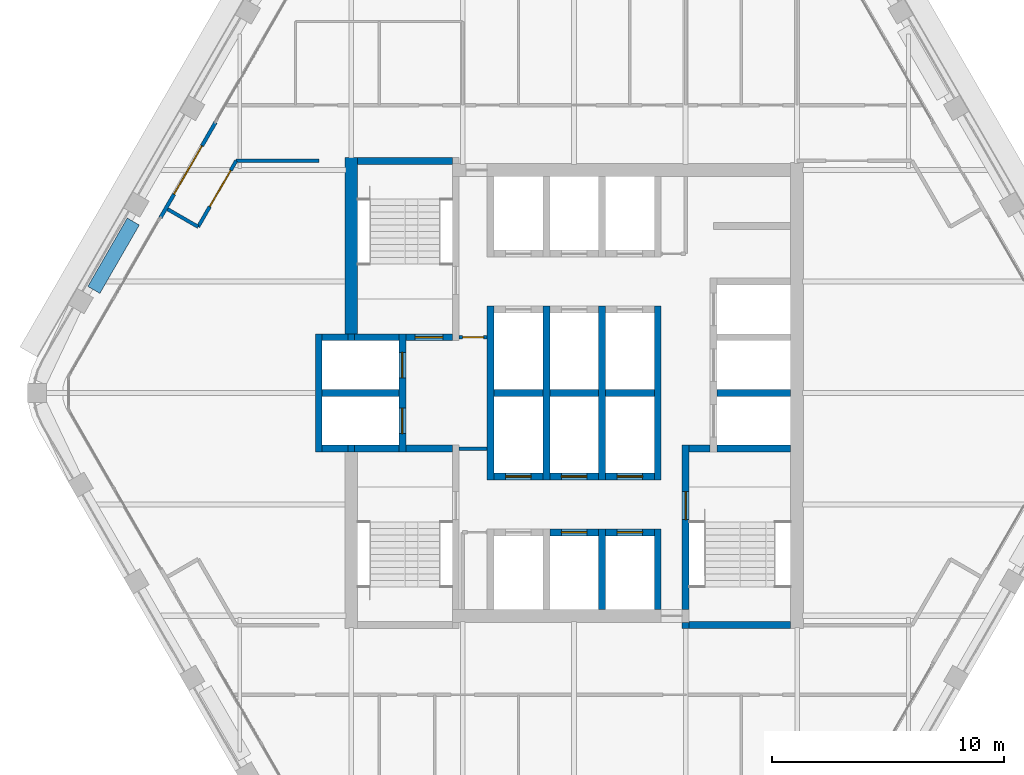
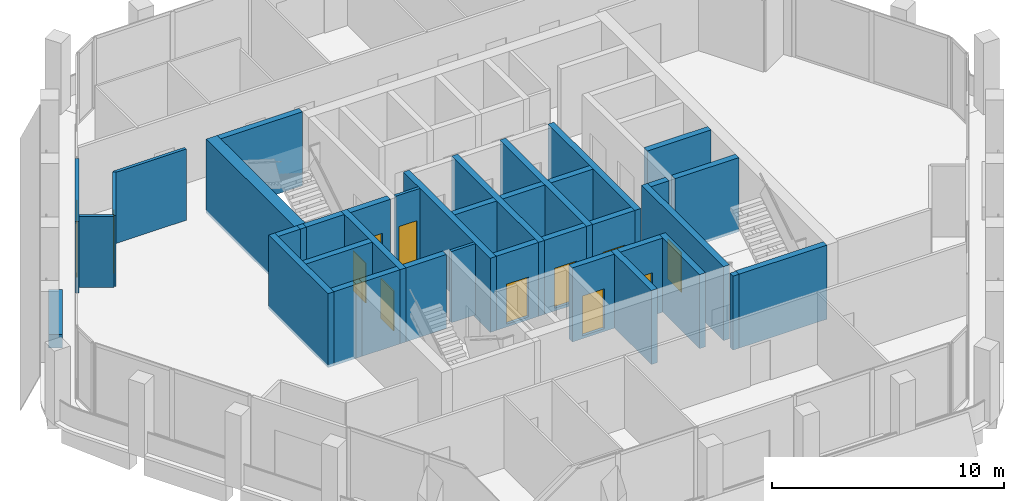
# One storey, part 8 of 13: 40 walls, 12 doors, 12 openings.
"""IFC4 building model written with IfcOpenShell, lengths in metres."""

from ifc_helpers import new_model, si_unit, direction, frame, frame_2d, origin, place, context, subcontext, project, spatial, rectangle, extrude, material, layer, layer_set, type_object, element, fill, save


model = new_model("IFC4")

# Units and contexts
model_context = context("Model", 3, precision=1e-05, world=origin(), true_north=direction((0.0, 1.0)))
body_context = subcontext(model_context, "Body", "Model", "MODEL_VIEW")
ifc_project = project(units=[si_unit("LENGTHUNIT", "METRE"), si_unit("AREAUNIT", "SQUARE_METRE"), si_unit("VOLUMEUNIT", "CUBIC_METRE"), si_unit("PLANEANGLEUNIT", "RADIAN"), si_unit("MASSUNIT", "GRAM", prefix="KILO")], contexts=[model_context])

# Site, building, storey
site_placement = place(None, origin())
site = spatial("IfcSite", under=ifc_project, at=site_placement, CompositionType="ELEMENT")
building_placement = place(site_placement, origin())
building = spatial("IfcBuilding", under=site, at=building_placement, Name="Kolab Exchange Tower", CompositionType="ELEMENT")
storey_placement = place(building_placement, frame((0.0, 0.0, 226.699951171875)))
storey = spatial("IfcBuildingStorey", under=building, at=storey_placement, Name="L49", CompositionType="ELEMENT", Elevation=226.699951171875)

# Wall
ifc_material_1 = material(Name="Concrete C50/60", Category="concrete")
ifc_layer_1 = layer(ifc_material_1, 0.550048828125)
ifc_layer_set_1 = layer_set([ifc_layer_1], Name="Concrete C50/60")
wall_type_1 = type_object("IfcWallType", Name="CORE WALL 550 C50/60", PredefinedType="SHEAR", material=ifc_layer_set_1)
wall_1_placement = place(storey_placement, frame((-9.60009765625, 2.550048828125, -0.14990234375), z_axis=(0.0, 0.0, 1.0), x_axis=(0.0, 1.0, 0.0)))
element("IfcWall", 1, at=wall_1_placement, inside=storey, type_object=wall_type_1, Name="wall/L49/core/037", PredefinedType="SHEAR", context=body_context, shape_type="SweptSolid", body=[
    extrude(rectangle(XDim=7.599853515625, YDim=0.550048828125, at=frame_2d((3.7998046875, 0.0))), origin(), (0.0, 0.0, 1.0), 3.89990234375),
])

# Wall, opening, door
ifc_material_2 = material(Name="Aluminium EN AW-6063 T6", Category="aluminium")
ifc_layer_2 = layer(ifc_material_2, 0.159912109375)
ifc_layer_set_2 = layer_set([ifc_layer_2], Name="Aluminium EN AW-6063 T6")
wall_type_2 = type_object("IfcWallType", Name="DOOR SURROUND WALL 160 ALUMINIUM FRAMED", PredefinedType="PARTITIONING", material=ifc_layer_set_2)
wall_2_placement = place(storey_placement, frame((-17.816650390625, 7.5498046875, 0.0), z_axis=(0.0, 0.0, 1.0), x_axis=(0.499978080042, 0.866038058908, 0.0)))
wall_2 = element("IfcWall", 2, at=wall_2_placement, inside=storey, type_object=wall_type_2, Name="Door surround wall", PredefinedType="PARTITIONING", context=body_context, shape_type="SweptSolid", body=[
    extrude(rectangle(XDim=4.739990234375, YDim=0.159912109375, at=frame_2d((2.3701171875, 0.0))), origin(), (0.0, 0.0, 1.0), 3.75),
])
opening_1_placement = place(wall_2_placement, frame((1.169921875, 0.0, 0.0)))
opening_1 = element("IfcOpeningElement", 3, at=opening_1_placement, cuts=wall_2, Name="Opening GD1-094", PredefinedType="OPENING", context=body_context, shape_type="SweptSolid", body=[
    extrude(rectangle(XDim=2.39990234375, YDim=2.39990234375, at=frame_2d((1.199951171875, 1.199951171875))), frame((0.0, 0.08984375, 0.0), z_axis=(0.0, -1.0, 0.0), x_axis=(1.0, 0.0, 0.0)), (0.0, 0.0, 1.0), 0.179931640625),
])
door_type_1 = type_object("IfcDoorType", Name="LOGGIA SLIDING GLASS DOOR 2400 X 2400", OperationType="DOUBLE_DOOR_SINGLE_SWING", PredefinedType="DOOR", material=ifc_material_2)
door_1_placement = place(opening_1_placement, origin())
door_1 = element("IfcDoor", 4, at=door_1_placement, inside=storey, type_object=door_type_1, Name="Loggia door", OperationType="DOUBLE_DOOR_SLIDING", OverallHeight=2.39990234375, OverallWidth=2.39990234375, PredefinedType="DOOR", context=body_context, shape_type="SweptSolid", body=[
    extrude(rectangle(XDim=2.39990234375, YDim=2.39990234375, at=frame_2d((1.199951171875, 1.199951171875))), frame((0.0, 0.02490234375, 0.0), z_axis=(0.0, -1.0, 0.0), x_axis=(1.0, 0.0, 0.0)), (0.0, 0.0, 1.0), 0.050048828125),
])
fill(opening_1, door_1)

ifc_layer_3 = layer(ifc_material_1, 0.300048828125)
ifc_layer_set_3 = layer_set([ifc_layer_3], Name="Concrete C50/60")
wall_type_3 = type_object("IfcWallType", Name="LIFT SHAFT WALL 300 C50/60", PredefinedType="STANDARD", material=ifc_layer_set_3)
wall_3_placement = place(storey_placement, frame((-1.050048828125, -6.0, -0.14990234375), z_axis=(0.0, 0.0, 1.0), x_axis=(1.0, 0.0, 0.0)))
wall_3 = element("IfcWall", 5, at=wall_3_placement, inside=storey, type_object=wall_type_3, Name="wall/L49/core/004", PredefinedType="STANDARD", context=body_context, shape_type="SweptSolid", body=[
    extrude(rectangle(XDim=2.10009765625, YDim=0.300048828125, at=frame_2d((1.050048828125, 0.0))), origin(), (0.0, 0.0, 1.0), 3.89990234375),
])
opening_2_placement = place(wall_3_placement, frame((0.5, 0.0, 0.14990234375)))
opening_2 = element("IfcOpeningElement", 6, at=opening_2_placement, cuts=wall_3, Name="Opening LD1-111", PredefinedType="OPENING", context=body_context, shape_type="SweptSolid", body=[
    extrude(rectangle(XDim=1.10009765625, YDim=2.10009765625, at=frame_2d((0.550048828125, 1.050048828125))), frame((0.0, 0.16015625, 0.0), z_axis=(0.0, -1.0, 0.0), x_axis=(1.0, 0.0, 0.0)), (0.0, 0.0, 1.0), 0.320068359375),
])
ifc_material_3 = material(Name="Stainless steel 316", Category="steel")
door_type_2 = type_object("IfcDoorType", Name="LANDING DOOR 1100 PASSENGER", OperationType="DOUBLE_DOOR_SLIDING", PredefinedType="DOOR", material=ifc_material_3)
door_2_placement = place(opening_2_placement, origin())
door_2 = element("IfcDoor", 7, at=door_2_placement, inside=storey, type_object=door_type_2, Name="Landing door HR11", OperationType="DOUBLE_DOOR_SLIDING", OverallHeight=2.10009765625, OverallWidth=1.10009765625, PredefinedType="DOOR", context=body_context, shape_type="SweptSolid", body=[
    extrude(rectangle(XDim=1.10009765625, YDim=2.10009765625, at=frame_2d((0.550048828125, 1.050048828125))), frame((0.0, 0.02490234375, 0.0), z_axis=(0.0, -1.0, 0.0), x_axis=(1.0, 0.0, 0.0)), (0.0, 0.0, 1.0), 0.050048828125),
])
fill(opening_2, door_2)

wall_4_placement = place(storey_placement, frame((1.35009765625, -6.0, -0.14990234375), z_axis=(0.0, 0.0, 1.0), x_axis=(1.0, 0.0, 0.0)))
wall_4 = element("IfcWall", 8, at=wall_4_placement, inside=storey, type_object=wall_type_3, Name="wall/L49/core/005", PredefinedType="STANDARD", context=body_context, shape_type="SweptSolid", body=[
    extrude(rectangle(XDim=2.099853515625, YDim=0.300048828125, at=frame_2d((1.0498046875, 0.0))), origin(), (0.0, 0.0, 1.0), 3.89990234375),
])
opening_3_placement = place(wall_4_placement, frame((0.5, 0.0, 0.14990234375)))
opening_3 = element("IfcOpeningElement", 9, at=opening_3_placement, cuts=wall_4, Name="Opening LD1-112", PredefinedType="OPENING", context=body_context, shape_type="SweptSolid", body=[
    extrude(rectangle(XDim=1.10009765625, YDim=2.10009765625, at=frame_2d((0.550048828125, 1.050048828125))), frame((0.0, 0.16015625, 0.0), z_axis=(0.0, -1.0, 0.0), x_axis=(1.0, 0.0, 0.0)), (0.0, 0.0, 1.0), 0.320068359375),
])
door_3_placement = place(opening_3_placement, origin())
door_3 = element("IfcDoor", 10, at=door_3_placement, inside=storey, type_object=door_type_2, Name="Landing door HR12", OperationType="DOUBLE_DOOR_SLIDING", OverallHeight=2.10009765625, OverallWidth=1.10009765625, PredefinedType="DOOR", context=body_context, shape_type="SweptSolid", body=[
    extrude(rectangle(XDim=1.10009765625, YDim=2.10009765625, at=frame_2d((0.550048828125, 1.050048828125))), frame((0.0, 0.02490234375, 0.0), z_axis=(0.0, -1.0, 0.0), x_axis=(1.0, 0.0, 0.0)), (0.0, 0.0, 1.0), 0.050048828125),
])
fill(opening_3, door_3)

wall_5_placement = place(storey_placement, frame((-3.449951171875, -3.60009765625, -0.14990234375), z_axis=(0.0, 0.0, 1.0), x_axis=(1.0, 0.0, 0.0)))
wall_5 = element("IfcWall", 11, at=wall_5_placement, inside=storey, type_object=wall_type_3, Name="wall/L49/core/006", PredefinedType="STANDARD", context=body_context, shape_type="SweptSolid", body=[
    extrude(rectangle(XDim=2.099853515625, YDim=0.300048828125, at=frame_2d((1.0498046875, 0.0))), origin(), (0.0, 0.0, 1.0), 3.89990234375),
])
opening_4_placement = place(wall_5_placement, frame((0.5, 0.0, 0.14990234375)))
opening_4 = element("IfcOpeningElement", 12, at=opening_4_placement, cuts=wall_5, Name="Opening LD1-118", PredefinedType="OPENING", context=body_context, shape_type="SweptSolid", body=[
    extrude(rectangle(XDim=1.10009765625, YDim=2.10009765625, at=frame_2d((0.550048828125, 1.050048828125))), frame((0.0, 0.16015625, 0.0), z_axis=(0.0, -1.0, 0.0), x_axis=(1.0, 0.0, 0.0)), (0.0, 0.0, 1.0), 0.320068359375),
])
door_4_placement = place(opening_4_placement, origin())
door_4 = element("IfcDoor", 13, at=door_4_placement, inside=storey, type_object=door_type_2, Name="Landing door HR7", OperationType="DOUBLE_DOOR_SLIDING", OverallHeight=2.10009765625, OverallWidth=1.10009765625, PredefinedType="DOOR", context=body_context, shape_type="SweptSolid", body=[
    extrude(rectangle(XDim=1.10009765625, YDim=2.10009765625, at=frame_2d((0.550048828125, 1.050048828125))), frame((0.0, 0.02490234375, 0.0), z_axis=(0.0, -1.0, 0.0), x_axis=(1.0, 0.0, 0.0)), (0.0, 0.0, 1.0), 0.050048828125),
])
fill(opening_4, door_4)

wall_6_placement = place(storey_placement, frame((-1.050048828125, -3.60009765625, -0.14990234375), z_axis=(0.0, 0.0, 1.0), x_axis=(1.0, 0.0, 0.0)))
wall_6 = element("IfcWall", 14, at=wall_6_placement, inside=storey, type_object=wall_type_3, Name="wall/L49/core/007", PredefinedType="STANDARD", context=body_context, shape_type="SweptSolid", body=[
    extrude(rectangle(XDim=2.10009765625, YDim=0.300048828125, at=frame_2d((1.050048828125, 0.0))), origin(), (0.0, 0.0, 1.0), 3.89990234375),
])
opening_5_placement = place(wall_6_placement, frame((0.5, 0.0, 0.14990234375)))
opening_5 = element("IfcOpeningElement", 15, at=opening_5_placement, cuts=wall_6, Name="Opening LD1-119", PredefinedType="OPENING", context=body_context, shape_type="SweptSolid", body=[
    extrude(rectangle(XDim=1.10009765625, YDim=2.10009765625, at=frame_2d((0.550048828125, 1.050048828125))), frame((0.0, 0.16015625, 0.0), z_axis=(0.0, -1.0, 0.0), x_axis=(1.0, 0.0, 0.0)), (0.0, 0.0, 1.0), 0.320068359375),
])
door_5_placement = place(opening_5_placement, origin())
door_5 = element("IfcDoor", 16, at=door_5_placement, inside=storey, type_object=door_type_2, Name="Landing door HR8", OperationType="DOUBLE_DOOR_SLIDING", OverallHeight=2.10009765625, OverallWidth=1.10009765625, PredefinedType="DOOR", context=body_context, shape_type="SweptSolid", body=[
    extrude(rectangle(XDim=1.10009765625, YDim=2.10009765625, at=frame_2d((0.550048828125, 1.050048828125))), frame((0.0, 0.02490234375, 0.0), z_axis=(0.0, -1.0, 0.0), x_axis=(1.0, 0.0, 0.0)), (0.0, 0.0, 1.0), 0.050048828125),
])
fill(opening_5, door_5)

wall_7_placement = place(storey_placement, frame((1.35009765625, -3.60009765625, -0.14990234375), z_axis=(0.0, 0.0, 1.0), x_axis=(1.0, 0.0, 0.0)))
wall_7 = element("IfcWall", 17, at=wall_7_placement, inside=storey, type_object=wall_type_3, Name="wall/L49/core/008", PredefinedType="STANDARD", context=body_context, shape_type="SweptSolid", body=[
    extrude(rectangle(XDim=2.099853515625, YDim=0.300048828125, at=frame_2d((1.0498046875, 0.0))), origin(), (0.0, 0.0, 1.0), 3.89990234375),
])
opening_6_placement = place(wall_7_placement, frame((0.5, 0.0, 0.14990234375)))
opening_6 = element("IfcOpeningElement", 18, at=opening_6_placement, cuts=wall_7, Name="Opening LD1-120", PredefinedType="OPENING", context=body_context, shape_type="SweptSolid", body=[
    extrude(rectangle(XDim=1.10009765625, YDim=2.10009765625, at=frame_2d((0.550048828125, 1.050048828125))), frame((0.0, 0.16015625, 0.0), z_axis=(0.0, -1.0, 0.0), x_axis=(1.0, 0.0, 0.0)), (0.0, 0.0, 1.0), 0.320068359375),
])
door_6_placement = place(opening_6_placement, origin())
door_6 = element("IfcDoor", 19, at=door_6_placement, inside=storey, type_object=door_type_2, Name="Landing door HR9", OperationType="DOUBLE_DOOR_SLIDING", OverallHeight=2.10009765625, OverallWidth=1.10009765625, PredefinedType="DOOR", context=body_context, shape_type="SweptSolid", body=[
    extrude(rectangle(XDim=1.10009765625, YDim=2.10009765625, at=frame_2d((0.550048828125, 1.050048828125))), frame((0.0, 0.02490234375, 0.0), z_axis=(0.0, -1.0, 0.0), x_axis=(1.0, 0.0, 0.0)), (0.0, 0.0, 1.0), 0.050048828125),
])
fill(opening_6, door_6)

# Walls
wall_8_placement = place(storey_placement, frame((-10.85009765625, -2.39990234375, -0.14990234375), z_axis=(0.0, 0.0, 1.0), x_axis=(1.0, 0.0, 0.0)))
element("IfcWall", 20, at=wall_8_placement, inside=storey, type_object=wall_type_3, Name="wall/L49/core/009", PredefinedType="STANDARD", context=body_context, shape_type="SweptSolid", body=[
    extrude(rectangle(XDim=1.10009765625, YDim=0.300048828125, at=frame_2d((0.550048828125, 0.0))), origin(), (0.0, 0.0, 1.0), 3.89990234375),
])
wall_9_placement = place(storey_placement, frame((-10.85009765625, 0.0, -0.14990234375), z_axis=(0.0, 0.0, 1.0), x_axis=(1.0, 0.0, 0.0)))
element("IfcWall", 21, at=wall_9_placement, inside=storey, type_object=wall_type_3, Name="wall/L49/core/014", PredefinedType="STANDARD", context=body_context, shape_type="SweptSolid", body=[
    extrude(rectangle(XDim=3.300048828125, YDim=0.300048828125, at=frame_2d((1.64990234375, 0.0))), origin(), (0.0, 0.0, 1.0), 3.89990234375),
])
wall_10_placement = place(storey_placement, frame((-3.449951171875, 0.0, -0.14990234375), z_axis=(0.0, 0.0, 1.0), x_axis=(1.0, 0.0, 0.0)))
element("IfcWall", 22, at=wall_10_placement, inside=storey, type_object=wall_type_3, Name="wall/L49/core/015", PredefinedType="STANDARD", context=body_context, shape_type="SweptSolid", body=[
    extrude(rectangle(XDim=2.099853515625, YDim=0.300048828125, at=frame_2d((1.0498046875, 0.0))), origin(), (0.0, 0.0, 1.0), 3.89990234375),
])
wall_11_placement = place(storey_placement, frame((-1.050048828125, 0.0, -0.14990234375), z_axis=(0.0, 0.0, 1.0), x_axis=(1.0, 0.0, 0.0)))
element("IfcWall", 23, at=wall_11_placement, inside=storey, type_object=wall_type_3, Name="wall/L49/core/016", PredefinedType="STANDARD", context=body_context, shape_type="SweptSolid", body=[
    extrude(rectangle(XDim=2.10009765625, YDim=0.300048828125, at=frame_2d((1.050048828125, 0.0))), origin(), (0.0, 0.0, 1.0), 3.89990234375),
])
wall_12_placement = place(storey_placement, frame((1.35009765625, 0.0, -0.14990234375), z_axis=(0.0, 0.0, 1.0), x_axis=(1.0, 0.0, 0.0)))
element("IfcWall", 24, at=wall_12_placement, inside=storey, type_object=wall_type_3, Name="wall/L49/core/017", PredefinedType="STANDARD", context=body_context, shape_type="SweptSolid", body=[
    extrude(rectangle(XDim=2.099853515625, YDim=0.300048828125, at=frame_2d((1.0498046875, 0.0))), origin(), (0.0, 0.0, 1.0), 3.89990234375),
])
wall_13_placement = place(storey_placement, frame((6.14990234375, 0.0, -0.14990234375), z_axis=(0.0, 0.0, 1.0), x_axis=(1.0, 0.0, 0.0)))
element("IfcWall", 25, at=wall_13_placement, inside=storey, type_object=wall_type_3, Name="wall/L49/core/018", PredefinedType="STANDARD", context=body_context, shape_type="SweptSolid", body=[
    extrude(rectangle(XDim=3.175048828125, YDim=0.300048828125, at=frame_2d((1.58740234375, 0.0))), origin(), (0.0, 0.0, 1.0), 3.89990234375),
])
wall_14_placement = place(storey_placement, frame((-10.85009765625, 2.39990234375, -0.14990234375), z_axis=(0.0, 0.0, 1.0), x_axis=(1.0, 0.0, 0.0)))
element("IfcWall", 26, at=wall_14_placement, inside=storey, type_object=wall_type_3, Name="wall/L49/core/019", PredefinedType="STANDARD", context=body_context, shape_type="SweptSolid", body=[
    extrude(rectangle(XDim=1.10009765625, YDim=0.300048828125, at=frame_2d((0.550048828125, 0.0))), origin(), (0.0, 0.0, 1.0), 3.89990234375),
])
wall_15_placement = place(storey_placement, frame((-11.0, -2.550048828125, -0.14990234375), z_axis=(0.0, 0.0, 1.0), x_axis=(0.0, 1.0, 0.0)))
element("IfcWall", 27, at=wall_15_placement, inside=storey, type_object=wall_type_3, Name="wall/L49/core/033", PredefinedType="STANDARD", context=body_context, shape_type="SweptSolid", body=[
    extrude(rectangle(XDim=5.10009765625, YDim=0.300048828125, at=frame_2d((2.550048828125, 0.0))), origin(), (0.0, 0.0, 1.0), 3.89990234375),
])

# Wall, openings, doors
wall_16_placement = place(storey_placement, frame((-7.39990234375, -2.550048828125, -0.14990234375), z_axis=(0.0, 0.0, 1.0), x_axis=(0.0, 1.0, 0.0)))
wall_16 = element("IfcWall", 28, at=wall_16_placement, inside=storey, type_object=wall_type_3, Name="wall/L49/core/038", PredefinedType="STANDARD", context=body_context, shape_type="SweptSolid", body=[
    extrude(rectangle(XDim=5.10009765625, YDim=0.300048828125, at=frame_2d((2.550048828125, 0.0))), origin(), (0.0, 0.0, 1.0), 3.89990234375),
])
opening_7_placement = place(wall_16_placement, frame((0.800048828125, 0.0, 0.14990234375)))
opening_7 = element("IfcOpeningElement", 29, at=opening_7_placement, cuts=wall_16, Name="Opening LD2-025", PredefinedType="OPENING", context=body_context, shape_type="SweptSolid", body=[
    extrude(rectangle(XDim=1.10009765625, YDim=2.10009765625, at=frame_2d((0.550048828125, 1.050048828125))), frame((0.0, 0.16015625, 0.0), z_axis=(0.0, -1.0, 0.0), x_axis=(1.0, 0.0, 0.0)), (0.0, 0.0, 1.0), 0.320068359375),
])
opening_8_placement = place(wall_16_placement, frame((3.199951171875, 0.0, 0.14990234375)))
opening_8 = element("IfcOpeningElement", 30, at=opening_8_placement, cuts=wall_16, Name="Opening LD2-026", PredefinedType="OPENING", context=body_context, shape_type="SweptSolid", body=[
    extrude(rectangle(XDim=1.10009765625, YDim=2.10009765625, at=frame_2d((0.550048828125, 1.050048828125))), frame((0.0, 0.16015625, 0.0), z_axis=(0.0, -1.0, 0.0), x_axis=(1.0, 0.0, 0.0)), (0.0, 0.0, 1.0), 0.320068359375),
])
door_type_3 = type_object("IfcDoorType", Name="LANDING DOOR 1100 FIREFIGHTING", OperationType="DOUBLE_DOOR_SLIDING", PredefinedType="DOOR", material=ifc_material_3)
door_7_placement = place(opening_7_placement, origin())
door_7 = element("IfcDoor", 31, at=door_7_placement, inside=storey, type_object=door_type_3, Name="Landing door FF1", OperationType="DOUBLE_DOOR_SLIDING", OverallHeight=2.10009765625, OverallWidth=1.10009765625, PredefinedType="DOOR", context=body_context, shape_type="SweptSolid", body=[
    extrude(rectangle(XDim=1.10009765625, YDim=2.10009765625, at=frame_2d((0.550048828125, 1.050048828125))), frame((0.0, 0.02490234375, 0.0), z_axis=(0.0, -1.0, 0.0), x_axis=(1.0, 0.0, 0.0)), (0.0, 0.0, 1.0), 0.050048828125),
])
fill(opening_7, door_7)
door_8_placement = place(opening_8_placement, origin())
door_8 = element("IfcDoor", 32, at=door_8_placement, inside=storey, type_object=door_type_3, Name="Landing door FF2", OperationType="DOUBLE_DOOR_SLIDING", OverallHeight=2.10009765625, OverallWidth=1.10009765625, PredefinedType="DOOR", context=body_context, shape_type="SweptSolid", body=[
    extrude(rectangle(XDim=1.10009765625, YDim=2.10009765625, at=frame_2d((0.550048828125, 1.050048828125))), frame((0.0, 0.02490234375, 0.0), z_axis=(0.0, -1.0, 0.0), x_axis=(1.0, 0.0, 0.0)), (0.0, 0.0, 1.0), 0.050048828125),
])
fill(opening_8, door_8)

# Walls
for number, where, z_axis, x_axis, name in (
    (33, (-3.60009765625, -3.75, -0.14990234375), (0.0, 0.0, 1.0), (0.0, 1.0, 0.0), "wall/L49/core/044"),
    (34, (-1.199951171875, -3.75, -0.14990234375), (0.0, 0.0, 1.0), (0.0, 1.0, 0.0), "wall/L49/core/047"),
):
    element("IfcWall", number, at=place(storey_placement, frame(where, z_axis=z_axis, x_axis=x_axis)), inside=storey, type_object=wall_type_3, Name=name, PredefinedType="STANDARD", context=body_context, shape_type="SweptSolid", body=[
        extrude(rectangle(XDim=7.5, YDim=0.300048828125, at=frame_2d((3.75, 0.0))), origin(), (0.0, 0.0, 1.0), 3.89990234375),
    ])
wall_17_placement = place(storey_placement, frame((1.199951171875, -9.324951171875, -0.14990234375), z_axis=(0.0, 0.0, 1.0), x_axis=(0.0, 1.0, 0.0)))
element("IfcWall", 35, at=wall_17_placement, inside=storey, type_object=wall_type_3, Name="wall/L49/core/049", PredefinedType="STANDARD", context=body_context, shape_type="SweptSolid", body=[
    extrude(rectangle(XDim=3.474853515625, YDim=0.300048828125, at=frame_2d((1.7373046875, 0.0))), origin(), (0.0, 0.0, 1.0), 3.89990234375),
])
wall_18_placement = place(storey_placement, frame((1.199951171875, -3.75, -0.14990234375), z_axis=(0.0, 0.0, 1.0), x_axis=(0.0, 1.0, 0.0)))
element("IfcWall", 36, at=wall_18_placement, inside=storey, type_object=wall_type_3, Name="wall/L49/core/050", PredefinedType="STANDARD", context=body_context, shape_type="SweptSolid", body=[
    extrude(rectangle(XDim=7.5, YDim=0.300048828125, at=frame_2d((3.75, 0.0))), origin(), (0.0, 0.0, 1.0), 3.89990234375),
])
wall_19_placement = place(storey_placement, frame((3.60009765625, -9.324951171875, -0.14990234375), z_axis=(0.0, 0.0, 1.0), x_axis=(0.0, 1.0, 0.0)))
element("IfcWall", 37, at=wall_19_placement, inside=storey, type_object=wall_type_3, Name="wall/L49/core/052", PredefinedType="STANDARD", context=body_context, shape_type="SweptSolid", body=[
    extrude(rectangle(XDim=3.474853515625, YDim=0.300048828125, at=frame_2d((1.7373046875, 0.0))), origin(), (0.0, 0.0, 1.0), 3.89990234375),
])
wall_20_placement = place(storey_placement, frame((3.60009765625, -3.75, -0.14990234375), z_axis=(0.0, 0.0, 1.0), x_axis=(0.0, 1.0, 0.0)))
element("IfcWall", 38, at=wall_20_placement, inside=storey, type_object=wall_type_3, Name="wall/L49/core/053", PredefinedType="STANDARD", context=body_context, shape_type="SweptSolid", body=[
    extrude(rectangle(XDim=7.5, YDim=0.300048828125, at=frame_2d((3.75, 0.0))), origin(), (0.0, 0.0, 1.0), 3.89990234375),
])

# Wall, opening, door
ifc_material_4 = material(Name="Gypsum board", Category="gypsum")
ifc_layer_4 = layer(ifc_material_4, 0.14990234375)
ifc_layer_set_4 = layer_set([ifc_layer_4], Name="Gypsum board")
wall_type_4 = type_object("IfcWallType", Name="PARTITION 150 FIRE-RATED", PredefinedType="PARTITIONING", material=ifc_layer_set_4)
wall_21_placement = place(storey_placement, frame((-16.196044921875, 7.15673828125, 0.0), z_axis=(0.0, 0.0, 1.0), x_axis=(0.499954196102, 0.866051847062, 0.0)))
wall_21 = element("IfcWall", 39, at=wall_21_placement, inside=storey, type_object=wall_type_4, Name="Partition 017", PredefinedType="PARTITIONING", context=body_context, shape_type="SweptSolid", body=[
    extrude(rectangle(XDim=3.282958984375, YDim=0.14990234375, at=frame_2d((1.6416015625, 0.0))), origin(), (0.0, 0.0, 1.0), 3.75),
])
opening_9_placement = place(wall_21_placement, frame((1.005615234375, 0.0, 0.0)))
opening_9 = element("IfcOpeningElement", 40, at=opening_9_placement, cuts=wall_21, Name="Opening D2-066", PredefinedType="OPENING", context=body_context, shape_type="SweptSolid", body=[
    extrude(rectangle(XDim=1.800048828125, YDim=2.10009765625, at=frame_2d((0.89990234375, 1.050048828125))), frame((0.0, 0.0849609375, 0.0), z_axis=(0.0, -1.0, 0.0), x_axis=(1.0, 0.0, 0.0)), (0.0, 0.0, 1.0), 0.169921875),
])
ifc_material_5 = material(Name="Steel S235", Category="steel")
door_type_4 = type_object("IfcDoorType", Name="DOUBLE DOOR 1800 FD60", OperationType="DOUBLE_DOOR_SINGLE_SWING", PredefinedType="DOOR", material=ifc_material_5)
door_9_placement = place(opening_9_placement, frame((1.800048828125, 0.0, 0.0), z_axis=(0.0, 0.0, 1.0), x_axis=(-1.0, 0.0, 0.0)))
door_9 = element("IfcDoor", 41, at=door_9_placement, inside=storey, type_object=door_type_4, Name="Door L49-043", OperationType="SINGLE_SWING_RIGHT", OverallHeight=2.10009765625, OverallWidth=1.800048828125, PredefinedType="DOOR", context=body_context, shape_type="SweptSolid", body=[
    extrude(rectangle(XDim=1.800048828125, YDim=2.10009765625, at=frame_2d((0.89990234375, 1.050048828125))), frame((0.0, 0.02490234375, 0.0), z_axis=(0.0, -1.0, 0.0), x_axis=(1.0, 0.0, 0.0)), (0.0, 0.0, 1.0), 0.050048828125),
])
fill(opening_9, door_9)

# Walls
wall_22_placement = place(storey_placement, frame((-17.512451171875, 7.9169921875, 0.0), z_axis=(0.0, 0.0, 1.0), x_axis=(0.865960906633, -0.500111695708, 0.0)))
element("IfcWall", 42, at=wall_22_placement, inside=storey, type_object=wall_type_4, Name="Partition 018", PredefinedType="PARTITIONING", context=body_context, shape_type="SweptSolid", body=[
    extrude(rectangle(XDim=1.520263671875, YDim=0.14990234375, at=frame_2d((0.76025390625, 0.0))), origin(), (0.0, 0.0, 1.0), 3.75),
])
wall_23_placement = place(storey_placement, frame((-14.5546875, 10.0, 0.0), z_axis=(0.0, 0.0, 1.0), x_axis=(1.0, 0.0, 0.0)))
element("IfcWall", 43, at=wall_23_placement, inside=storey, type_object=wall_type_4, Name="Partition 028", PredefinedType="PARTITIONING", context=body_context, shape_type="SweptSolid", body=[
    extrude(rectangle(XDim=3.5546875, YDim=0.14990234375, at=frame_2d((1.77734375, 0.0))), origin(), (0.0, 0.0, 1.0), 3.75),
])

# Wall, opening, door
wall_24_placement = place(storey_placement, frame((-4.949951171875, 2.39990234375, 0.0), z_axis=(0.0, 0.0, 1.0), x_axis=(1.0, 0.0, 0.0)))
wall_24 = element("IfcWall", 44, at=wall_24_placement, inside=storey, type_object=wall_type_4, Name="Fire partition", PredefinedType="PARTITIONING", context=body_context, shape_type="SweptSolid", body=[
    extrude(rectangle(XDim=1.199951171875, YDim=0.14990234375, at=frame_2d((0.60009765625, 0.0))), origin(), (0.0, 0.0, 1.0), 3.75),
])
opening_10_placement = place(wall_24_placement, frame((0.14990234375, 0.0, 0.0)))
opening_10 = element("IfcOpeningElement", 45, at=opening_10_placement, cuts=wall_24, Name="Opening D6-288", PredefinedType="OPENING", context=body_context, shape_type="SweptSolid", body=[
    extrude(rectangle(XDim=0.89990234375, YDim=2.10009765625, at=frame_2d((0.449951171875, 1.050048828125))), frame((0.0, 0.0849609375, 0.0), z_axis=(0.0, -1.0, 0.0), x_axis=(1.0, 0.0, 0.0)), (0.0, 0.0, 1.0), 0.169921875),
])
door_type_5 = type_object("IfcDoorType", Name="CORE DOOR 900 EI 120", OperationType="SINGLE_SWING_LEFT", PredefinedType="DOOR", material=ifc_material_5)
door_10_placement = place(opening_10_placement, frame((0.89990234375, 0.0, 0.0), z_axis=(0.0, 0.0, 1.0), x_axis=(-1.0, 0.0, 0.0)))
door_10 = element("IfcDoor", 46, at=door_10_placement, inside=storey, type_object=door_type_5, Name="Firefighting lobby door", OperationType="SINGLE_SWING_RIGHT", OverallHeight=2.10009765625, OverallWidth=0.89990234375, PredefinedType="DOOR", context=body_context, shape_type="SweptSolid", body=[
    extrude(rectangle(XDim=0.89990234375, YDim=2.10009765625, at=frame_2d((0.449951171875, 1.050048828125))), frame((0.0, 0.02490234375, 0.0), z_axis=(0.0, -1.0, 0.0), x_axis=(1.0, 0.0, 0.0)), (0.0, 0.0, 1.0), 0.050048828125),
])
fill(opening_10, door_10)

# Walls
wall_25_placement = place(storey_placement, frame((-4.949951171875, -2.39990234375, 0.0), z_axis=(0.0, 0.0, 1.0), x_axis=(1.0, 0.0, 0.0)))
element("IfcWall", 47, at=wall_25_placement, inside=storey, type_object=wall_type_4, Name="Fire partition", PredefinedType="PARTITIONING", context=body_context, shape_type="SweptSolid", body=[
    extrude(rectangle(XDim=1.199951171875, YDim=0.14990234375, at=frame_2d((0.60009765625, 0.0))), origin(), (0.0, 0.0, 1.0), 3.75),
])
ifc_material_6 = material(Name="Granite facing", Category="masonry")
ifc_layer_5 = layer(ifc_material_6, 0.0400390625)
ifc_material_7 = material(Name="Concrete C40/50 precast", Category="concrete")
ifc_layer_6 = layer(ifc_material_7, 0.56005859375)
ifc_layer_set_5 = layer_set([ifc_layer_5, ifc_layer_6], Name="Concrete C40/50 precast")
wall_type_5 = type_object("IfcWallType", Name="PLANTER BOX 600 X 700 SOIL DEPTH 550", PredefinedType="USERDEFINED", material=ifc_layer_set_5)
wall_26_placement = place(storey_placement, frame((-20.68701171875, 4.438232421875, 0.0), z_axis=(0.0, 0.0, 1.0), x_axis=(0.500008388397, 0.866020560687, 0.0)))
element("IfcWall", 48, at=wall_26_placement, inside=storey, type_object=wall_type_5, Name="Planter", ObjectType="PLANTER", PredefinedType="USERDEFINED", context=body_context, shape_type="SweptSolid", body=[
    extrude(rectangle(XDim=3.39990234375, YDim=0.60009765625, at=frame_2d((1.699951171875, 0.0))), origin(), (0.0, 0.0, 1.0), 0.699951171875),
])
ifc_layer_7 = layer(ifc_material_1, 0.300048828125)
ifc_layer_set_6 = layer_set([ifc_layer_7], Name="Concrete C50/60")
wall_type_6 = type_object("IfcWallType", Name="STAIR ENCLOSURE WALL 300 C50/60", PredefinedType="STANDARD", material=ifc_layer_set_6)
wall_27_placement = place(storey_placement, frame((4.949951171875, -10.0, -0.14990234375), z_axis=(0.0, 0.0, 1.0), x_axis=(1.0, 0.0, 0.0)))
element("IfcWall", 49, at=wall_27_placement, inside=storey, type_object=wall_type_6, Name="wall/L49/core/001", PredefinedType="STANDARD", context=body_context, shape_type="SweptSolid", body=[
    extrude(rectangle(XDim=4.375, YDim=0.300048828125, at=frame_2d((2.1875, 0.0))), origin(), (0.0, 0.0, 1.0), 3.89990234375),
])
wall_28_placement = place(storey_placement, frame((-9.449951171875, -2.39990234375, -0.14990234375), z_axis=(0.0, 0.0, 1.0), x_axis=(1.0, 0.0, 0.0)))
element("IfcWall", 50, at=wall_28_placement, inside=storey, type_object=wall_type_6, Name="wall/L49/core/010", PredefinedType="STANDARD", context=body_context, shape_type="SweptSolid", body=[
    extrude(rectangle(XDim=1.89990234375, YDim=0.300048828125, at=frame_2d((0.949951171875, 0.0))), origin(), (0.0, 0.0, 1.0), 3.89990234375),
])
wall_29_placement = place(storey_placement, frame((-7.25, -2.39990234375, -0.14990234375), z_axis=(0.0, 0.0, 1.0), x_axis=(1.0, 0.0, 0.0)))
element("IfcWall", 51, at=wall_29_placement, inside=storey, type_object=wall_type_6, Name="wall/L49/core/011", PredefinedType="STANDARD", context=body_context, shape_type="SweptSolid", body=[
    extrude(rectangle(XDim=2.0, YDim=0.300048828125, at=frame_2d((1.0, 0.0))), origin(), (0.0, 0.0, 1.0), 3.89990234375),
])
wall_30_placement = place(storey_placement, frame((4.949951171875, -2.39990234375, -0.14990234375), z_axis=(0.0, 0.0, 1.0), x_axis=(1.0, 0.0, 0.0)))
element("IfcWall", 52, at=wall_30_placement, inside=storey, type_object=wall_type_6, Name="wall/L49/core/012", PredefinedType="STANDARD", context=body_context, shape_type="SweptSolid", body=[
    extrude(rectangle(XDim=0.900146484375, YDim=0.300048828125, at=frame_2d((0.4501953125, 0.0))), origin(), (0.0, 0.0, 1.0), 3.89990234375),
])
wall_31_placement = place(storey_placement, frame((6.14990234375, -2.39990234375, -0.14990234375), z_axis=(0.0, 0.0, 1.0), x_axis=(1.0, 0.0, 0.0)))
element("IfcWall", 53, at=wall_31_placement, inside=storey, type_object=wall_type_6, Name="wall/L49/core/013", PredefinedType="STANDARD", context=body_context, shape_type="SweptSolid", body=[
    extrude(rectangle(XDim=3.175048828125, YDim=0.300048828125, at=frame_2d((1.58740234375, 0.0))), origin(), (0.0, 0.0, 1.0), 3.89990234375),
])
wall_32_placement = place(storey_placement, frame((-9.449951171875, 2.39990234375, -0.14990234375), z_axis=(0.0, 0.0, 1.0), x_axis=(1.0, 0.0, 0.0)))
element("IfcWall", 54, at=wall_32_placement, inside=storey, type_object=wall_type_6, Name="wall/L49/core/020", PredefinedType="STANDARD", context=body_context, shape_type="SweptSolid", body=[
    extrude(rectangle(XDim=1.89990234375, YDim=0.300048828125, at=frame_2d((0.949951171875, 0.0))), origin(), (0.0, 0.0, 1.0), 3.89990234375),
])

# Wall, opening, door
wall_33_placement = place(storey_placement, frame((-7.25, 2.39990234375, -0.14990234375), z_axis=(0.0, 0.0, 1.0), x_axis=(1.0, 0.0, 0.0)))
wall_33 = element("IfcWall", 55, at=wall_33_placement, inside=storey, type_object=wall_type_6, Name="wall/L49/core/021", PredefinedType="STANDARD", context=body_context, shape_type="SweptSolid", body=[
    extrude(rectangle(XDim=2.0, YDim=0.300048828125, at=frame_2d((1.0, 0.0))), origin(), (0.0, 0.0, 1.0), 3.89990234375),
])
opening_11_placement = place(wall_33_placement, frame((0.39990234375, 0.0, 0.14990234375)))
opening_11 = element("IfcOpeningElement", 56, at=opening_11_placement, cuts=wall_33, Name="Opening D4-065", PredefinedType="OPENING", context=body_context, shape_type="SweptSolid", body=[
    extrude(rectangle(XDim=1.199951171875, YDim=2.10009765625, at=frame_2d((0.60009765625, 1.050048828125))), frame((0.0, 0.16015625, 0.0), z_axis=(0.0, -1.0, 0.0), x_axis=(1.0, 0.0, 0.0)), (0.0, 0.0, 1.0), 0.320068359375),
])
door_type_6 = type_object("IfcDoorType", Name="STAIR DOOR 1200 EI 120", OperationType="SINGLE_SWING_LEFT", PredefinedType="DOOR", material=ifc_material_5)
door_11_placement = place(opening_11_placement, origin())
door_11 = element("IfcDoor", 57, at=door_11_placement, inside=storey, type_object=door_type_6, Name="Stair 1 door", OperationType="SINGLE_SWING_RIGHT", OverallHeight=2.10009765625, OverallWidth=1.199951171875, PredefinedType="DOOR", context=body_context, shape_type="SweptSolid", body=[
    extrude(rectangle(XDim=1.199951171875, YDim=2.10009765625, at=frame_2d((0.60009765625, 1.050048828125))), frame((0.0, 0.02490234375, 0.0), z_axis=(0.0, -1.0, 0.0), x_axis=(1.0, 0.0, 0.0)), (0.0, 0.0, 1.0), 0.050048828125),
])
fill(opening_11, door_11)

# Walls
wall_34_placement = place(storey_placement, frame((-9.324951171875, 10.0, -0.14990234375), z_axis=(0.0, 0.0, 1.0), x_axis=(1.0, 0.0, 0.0)))
element("IfcWall", 58, at=wall_34_placement, inside=storey, type_object=wall_type_6, Name="wall/L49/core/032", PredefinedType="STANDARD", context=body_context, shape_type="SweptSolid", body=[
    extrude(rectangle(XDim=4.074951171875, YDim=0.300048828125, at=frame_2d((2.03759765625, 0.0))), origin(), (0.0, 0.0, 1.0), 3.89990234375),
])
for number, where, z_axis, x_axis, name in (
    (59, (-9.60009765625, -2.550048828125, -0.14990234375), (0.0, 0.0, 1.0), (0.0, 1.0, 0.0), "wall/L49/core/035"),
    (60, (-9.60009765625, 2.25, -0.14990234375), (0.0, 0.0, 1.0), (0.0, 1.0, 0.0), "wall/L49/core/036"),
):
    element("IfcWall", number, at=place(storey_placement, frame(where, z_axis=z_axis, x_axis=x_axis)), inside=storey, type_object=wall_type_6, Name=name, PredefinedType="STANDARD", context=body_context, shape_type="SweptSolid", body=[
        extrude(rectangle(XDim=0.300048828125, YDim=0.300048828125, at=frame_2d((0.14990234375, 0.0))), origin(), (0.0, 0.0, 1.0), 3.89990234375),
    ])
wall_35_placement = place(storey_placement, frame((4.800048828125, -10.14990234375, -0.14990234375), z_axis=(0.0, 0.0, 1.0), x_axis=(0.0, 1.0, 0.0)))
element("IfcWall", 61, at=wall_35_placement, inside=storey, type_object=wall_type_6, Name="wall/L49/core/055", PredefinedType="STANDARD", context=body_context, shape_type="SweptSolid", body=[
    extrude(rectangle(XDim=0.27490234375, YDim=0.300048828125, at=frame_2d((0.137451171875, 0.0))), origin(), (0.0, 0.0, 1.0), 3.89990234375),
])

# Wall, opening, door
wall_36_placement = place(storey_placement, frame((4.800048828125, -9.324951171875, -0.14990234375), z_axis=(0.0, 0.0, 1.0), x_axis=(0.0, 1.0, 0.0)))
wall_36 = element("IfcWall", 62, at=wall_36_placement, inside=storey, type_object=wall_type_6, Name="wall/L49/core/056", PredefinedType="STANDARD", context=body_context, shape_type="SweptSolid", body=[
    extrude(rectangle(XDim=7.074951171875, YDim=0.300048828125, at=frame_2d((3.53759765625, 0.0))), origin(), (0.0, 0.0, 1.0), 3.89990234375),
])
opening_12_placement = place(wall_36_placement, frame((3.875, 0.0, 0.14990234375)))
opening_12 = element("IfcOpeningElement", 63, at=opening_12_placement, cuts=wall_36, Name="Opening D4-077", PredefinedType="OPENING", context=body_context, shape_type="SweptSolid", body=[
    extrude(rectangle(XDim=1.199951171875, YDim=2.10009765625, at=frame_2d((0.60009765625, 1.050048828125))), frame((0.0, 0.16015625, 0.0), z_axis=(0.0, -1.0, 0.0), x_axis=(1.0, 0.0, 0.0)), (0.0, 0.0, 1.0), 0.320068359375),
])
door_12_placement = place(opening_12_placement, frame((1.199951171875, 0.0, 0.0), z_axis=(0.0, 0.0, 1.0), x_axis=(-1.0, 0.0, 0.0)))
door_12 = element("IfcDoor", 64, at=door_12_placement, inside=storey, type_object=door_type_6, Name="Stair 2 door", OperationType="SINGLE_SWING_RIGHT", OverallHeight=2.10009765625, OverallWidth=1.199951171875, PredefinedType="DOOR", context=body_context, shape_type="SweptSolid", body=[
    extrude(rectangle(XDim=1.199951171875, YDim=2.10009765625, at=frame_2d((0.60009765625, 1.050048828125))), frame((0.0, 0.02490234375, 0.0), z_axis=(0.0, -1.0, 0.0), x_axis=(1.0, 0.0, 0.0)), (0.0, 0.0, 1.0), 0.050048828125),
])
fill(opening_12, door_12)

save(model, "model.ifc")
